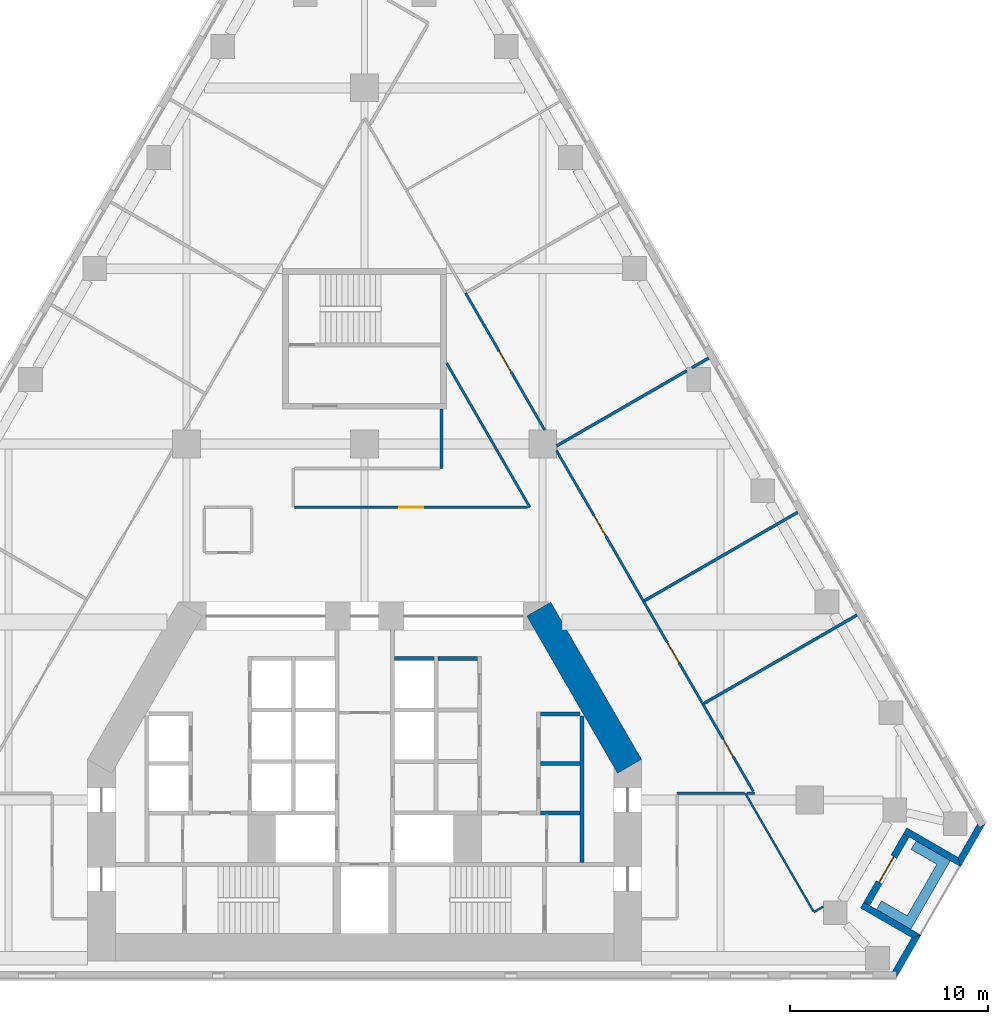
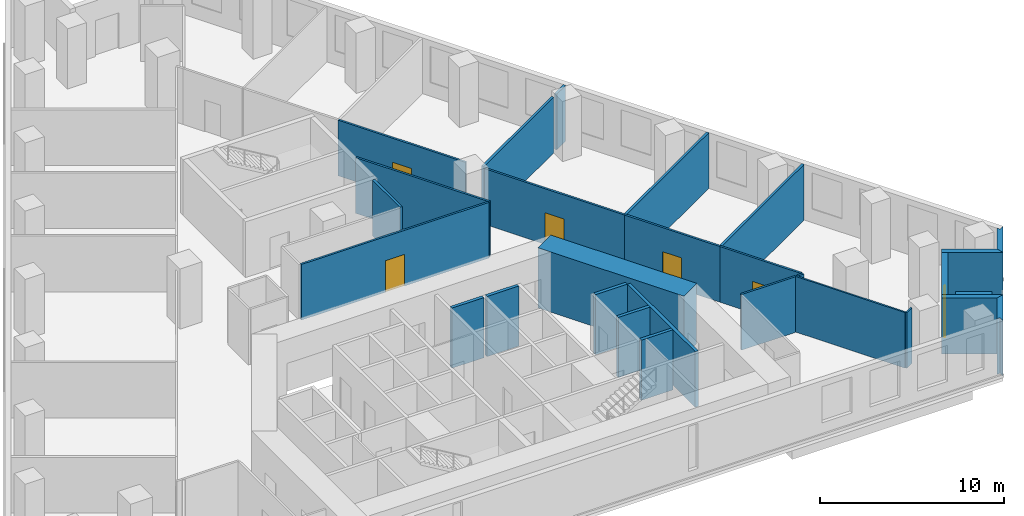
# One storey, part 6 of 9: 28 walls, 6 doors, 6 openings.
"""IFC4 building model written with IfcOpenShell, lengths in metres."""

from ifc_helpers import new_model, si_unit, direction, frame, frame_2d, origin, place, context, subcontext, project, spatial, polyline, rectangle, outline, extrude, material, layer, layer_set, type_object, element, fill, save


model = new_model("IFC4")

# Units and contexts
model_context = context("Model", 3, precision=1e-05, world=origin(), true_north=direction((0.0, 1.0)))
body_context = subcontext(model_context, "Body", "Model", "MODEL_VIEW")
ifc_project = project(units=[si_unit("LENGTHUNIT", "METRE"), si_unit("AREAUNIT", "SQUARE_METRE"), si_unit("VOLUMEUNIT", "CUBIC_METRE"), si_unit("PLANEANGLEUNIT", "RADIAN"), si_unit("MASSUNIT", "GRAM", prefix="KILO")], contexts=[model_context])

# Site, building, storey
site_placement = place(None, origin())
site = spatial("IfcSite", under=ifc_project, at=site_placement, CompositionType="ELEMENT")
building_placement = place(site_placement, origin())
building = spatial("IfcBuilding", under=site, at=building_placement, Name="Fogline Exchange Tower", CompositionType="ELEMENT")
storey_placement = place(building_placement, frame((0.0, 0.0, 68.89990234375)))
storey = spatial("IfcBuildingStorey", under=building, at=storey_placement, Name="L14", CompositionType="ELEMENT", Elevation=68.89990234375)

# Walls
ifc_material_1 = material(Name="Concrete C40", Category="concrete")
ifc_layer_1 = layer(ifc_material_1, 0.199951171875)
ifc_layer_set_1 = layer_set([ifc_layer_1], Name="CW20")
wall_type_1 = type_object("IfcWallType", Name="CW20", PredefinedType="SOLIDWALL", material=ifc_layer_set_1)
wall_1_placement = place(storey_placement, frame((11.0, 5.85009765625, 0.0), z_axis=(0.0, 0.0, 1.0), x_axis=(0.0, 1.0, 0.0)))
element("IfcWall", 1, at=wall_1_placement, inside=storey, type_object=wall_type_1, Name="Service room wall", PredefinedType="SOLIDWALL", context=body_context, shape_type="SweptSolid", body=[
    extrude(rectangle(XDim=7.39990234375, YDim=0.199951171875, at=frame_2d((3.699951171875, 0.0))), origin(), (0.0, 0.0, 1.0), 3.7001953125),
])
ifc_layer_2 = layer(ifc_material_1, 0.199951171875)
ifc_layer_set_2 = layer_set([ifc_layer_2], Name="CW20S")
wall_type_2 = type_object("IfcWallType", Name="CW20S", PredefinedType="SOLIDWALL", material=ifc_layer_set_2)
for number, where, z_axis, x_axis, name in (
    (2, (8.89990234375, 8.35009765625, -0.2998046875), (0.0, 0.0, 1.0), (1.0, 0.0, 0.0), "Lift shaft wall"),
    (3, (8.89990234375, 10.85009765625, -0.2998046875), (0.0, 0.0, 1.0), (1.0, 0.0, 0.0), "Lift shaft wall"),
    (4, (8.89990234375, 13.35009765625, -0.2998046875), (0.0, 0.0, 1.0), (1.0, 0.0, 0.0), "Lift shaft wall"),
    (5, (3.699951171875, 16.14990234375, -0.2998046875), (0.0, 0.0, 1.0), (1.0, 0.0, 0.0), "Lift shaft wall"),
    (6, (1.5, 16.14990234375, -0.2998046875), (0.0, 0.0, 1.0), (1.0, 0.0, 0.0), "Lift shaft wall"),
):
    element("IfcWall", number, at=place(storey_placement, frame(where, z_axis=z_axis, x_axis=x_axis)), inside=storey, type_object=wall_type_2, Name=name, PredefinedType="SOLIDWALL", context=body_context, shape_type="SweptSolid", body=[
        extrude(rectangle(XDim=2.0, YDim=0.199951171875, at=frame_2d((1.0, 0.0))), origin(), (0.0, 0.0, 1.0), 4.0),
    ])
ifc_material_2 = material(Name="Brick masonry", Category="masonry")
ifc_layer_3 = layer(ifc_material_2, 0.340087890625)
ifc_layer_set_3 = layer_set([ifc_layer_3], Name="FW1")
wall_type_3 = type_object("IfcWallType", Name="FW1", PredefinedType="SOLIDWALL", material=ifc_layer_set_3)
wall_2_placement = place(storey_placement, origin())
element("IfcWall", 7, at=wall_2_placement, inside=storey, type_object=wall_type_3, Name="Brick wall L14 SE-c1", PredefinedType="SOLIDWALL", context=body_context, shape_type="SweptSolid", body=[
    extrude(outline(polyline([(28.1337890625, 2.165771484375), (26.8828125, -0.001220703125), (26.88232421875, -0.0009765625), (26.88232421875, 0.33935546875), (26.685546875, 0.33935546875), (27.66796875, 2.041015625), (28.1337890625, 2.166015625), (28.1337890625, 2.165771484375)])), origin(), (0.0, 0.0, 1.0), 3.7001953125),
])
wall_3_placement = place(storey_placement, origin())
element("IfcWall", 8, at=wall_3_placement, inside=storey, type_object=wall_type_3, Name="Brick wall L14 SE-s1", PredefinedType="SOLIDWALL", context=body_context, shape_type="SweptSolid", body=[
    extrude(outline(polyline([(25.069580078125, 3.540283203125), (25.239990234375, 3.8359375), (25.53515625, 3.66552734375), (28.134033203125, 2.1650390625), (28.134033203125, 2.164794921875), (27.668212890625, 2.0400390625), (25.069580078125, 3.540283203125)])), origin(), (0.0, 0.0, 1.0), 3.7001953125),
])

# Wall, opening, door
wall_4_placement = place(storey_placement, frame((25.387451171875, 3.75, 0.0), z_axis=(0.0, 0.0, 1.0), x_axis=(0.49999894854, 0.866026010844, 0.0)))
wall_4 = element("IfcWall", 9, at=wall_4_placement, inside=storey, type_object=wall_type_3, Name="Brick wall L14 SE-bk", PredefinedType="SOLIDWALL", context=body_context, shape_type="SweptSolid", body=[
    extrude(rectangle(XDim=4.0, YDim=0.340087890625, at=frame_2d((2.0, 0.0))), origin(), (0.0, 0.0, 1.0), 3.7001953125),
])
opening_1_placement = place(wall_4_placement, frame((1.25, 0.0, 0.0)))
opening_1 = element("IfcOpeningElement", 10, at=opening_1_placement, cuts=wall_4, Name="Opening T04-E081", PredefinedType="OPENING", context=body_context, shape_type="SweptSolid", body=[
    extrude(rectangle(XDim=1.5, YDim=2.39990234375, at=frame_2d((0.75, 1.199951171875))), frame((0.0, 0.18017578125, 0.0), z_axis=(0.0, -1.0, 0.0), x_axis=(1.0, 0.0, 0.0)), (0.0, 0.0, 1.0), 0.360107421875),
])
ifc_material_3 = material(Name="Aluminium and glass", Category="aluminium")
door_type_1 = type_object("IfcDoorType", Name="ED4", OperationType="SINGLE_SWING_LEFT", PredefinedType="DOOR", material=ifc_material_3)
door_1_placement = place(opening_1_placement, frame((1.5, 0.0, 0.0), z_axis=(0.0, 0.0, 1.0), x_axis=(-1.0, 0.0, 0.0)))
door_1 = element("IfcDoor", 11, at=door_1_placement, inside=storey, type_object=door_type_1, Name="Balcony door L14 SE", OperationType="DOUBLE_DOOR_SINGLE_SWING", OverallHeight=2.39990234375, OverallWidth=1.5, PredefinedType="DOOR", context=body_context, shape_type="SweptSolid", body=[
    extrude(rectangle(XDim=1.5, YDim=2.39990234375, at=frame_2d((0.75, 1.199951171875))), frame((0.0, 0.02490234375, 0.0), z_axis=(0.0, -1.0, 0.0), x_axis=(1.0, 0.0, 0.0)), (0.0, 0.0, 1.0), 0.050048828125),
])
fill(opening_1, door_1)

# Walls
wall_5_placement = place(storey_placement, origin())
element("IfcWall", 12, at=wall_5_placement, inside=storey, type_object=wall_type_3, Name="Brick wall L14 SE-s2", PredefinedType="SOLIDWALL", context=body_context, shape_type="SweptSolid", body=[
    extrude(outline(polyline([(30.133544921875, 5.628173828125), (27.534423828125, 7.128662109375), (27.239501953125, 7.298828125), (27.41015625, 7.594482421875), (30.0087890625, 6.093994140625), (30.1337890625, 5.62841796875), (30.133544921875, 5.628173828125)])), origin(), (0.0, 0.0, 1.0), 3.7001953125),
])
wall_6_placement = place(storey_placement, origin())
element("IfcWall", 13, at=wall_6_placement, inside=storey, type_object=wall_type_3, Name="Brick wall L14 SE-c2", PredefinedType="SOLIDWALL", context=body_context, shape_type="SweptSolid", body=[
    extrude(outline(polyline([(30.990234375, 7.79541015625), (31.088623046875, 7.625), (31.383544921875, 7.79541015625), (31.3837890625, 7.794921875), (30.1328125, 5.6279296875), (30.132568359375, 5.6279296875), (30.0078125, 6.09375), (30.990234375, 7.79541015625)])), origin(), (0.0, 0.0, 1.0), 3.7001953125),
])
ifc_material_4 = material(Name="Concrete C30", Category="concrete")
ifc_layer_4 = layer(ifc_material_4, 0.199951171875)
ifc_layer_set_4 = layer_set([ifc_layer_4], Name="PL1")
wall_type_4 = type_object("IfcWallType", Name="PL1", PredefinedType="USERDEFINED", material=ifc_layer_set_4)
wall_7_placement = place(storey_placement, origin())
element("IfcWall", 14, at=wall_7_placement, inside=storey, type_object=wall_type_4, Name="PLANTER balcony L14 SE", ObjectType="PLANTER", PredefinedType="USERDEFINED", context=body_context, shape_type="SweptSolid", body=[
    extrude(outline(polyline([(25.881103515625, 3.465087890625), (27.18017578125, 2.715087890625), (27.18017578125, 2.715087890625), (27.61328125, 2.465087890625), (29.36328125, 5.49609375), (29.61328125, 5.92919921875), (27.881103515625, 6.92919921875), (27.631103515625, 6.49609375), (28.93017578125, 5.74609375), (27.43017578125, 3.148193359375), (26.131103515625, 3.898193359375), (25.881103515625, 3.465087890625)])), origin(), (0.0, 0.0, 1.0), 1.10009765625),
])
ifc_material_5 = material(Name="Plasterboard partition, 2 layers each side on steel studs", Category="steel")
ifc_layer_5 = layer(ifc_material_5, 0.10009765625)
ifc_layer_set_5 = layer_set([ifc_layer_5], Name="PW1")
wall_type_5 = type_object("IfcWallType", Name="PW1", PredefinedType="PARTITIONING", material=ifc_layer_set_5)
wall_8_placement = place(storey_placement, frame((19.24365234375, 9.340087890625, 0.0), z_axis=(0.0, 0.0, 1.0), x_axis=(0.500004737999, -0.866022668282, 0.0)))
element("IfcWall", 15, at=wall_8_placement, inside=storey, type_object=wall_type_5, Name="wall-L14-W047", PredefinedType="PARTITIONING", context=body_context, shape_type="SweptSolid", body=[
    extrude(rectangle(XDim=6.8876953125, YDim=0.10009765625, at=frame_2d((3.44384765625, 0.0))), origin(), (0.0, 0.0, 1.0), 3.7001953125),
])
wall_9_placement = place(storey_placement, frame((22.71240234375, 3.331787109375, 0.0), z_axis=(0.0, 0.0, 1.0), x_axis=(0.865894509735, 0.500226646643, 0.0)))
element("IfcWall", 16, at=wall_9_placement, inside=storey, type_object=wall_type_5, Name="wall-L14-W048", PredefinedType="PARTITIONING", context=body_context, shape_type="SweptSolid", body=[
    extrude(rectangle(XDim=0.558837890625, YDim=0.10009765625, at=frame_2d((0.279296875, 0.0))), origin(), (0.0, 0.0, 1.0), 3.7001953125),
])

# Wall, opening, door
ifc_material_6 = material(Name="Plasterboard corridor partition with mineral wool, 2 layers each side")
ifc_layer_6 = layer(ifc_material_6, 0.125)
ifc_layer_set_6 = layer_set([ifc_layer_6], Name="PW2")
wall_type_6 = type_object("IfcWallType", Name="PW2", PredefinedType="PARTITIONING", material=ifc_layer_set_6)
wall_10_placement = place(storey_placement, frame((-3.53759765625, 23.800048828125, 0.0), z_axis=(0.0, 0.0, 1.0), x_axis=(1.0, 0.0, 0.0)))
wall_10 = element("IfcWall", 17, at=wall_10_placement, inside=storey, type_object=wall_type_6, Name="wall-L14-W003", PredefinedType="PARTITIONING", context=body_context, shape_type="SweptSolid", body=[
    extrude(rectangle(XDim=11.78369140625, YDim=0.125, at=frame_2d((5.891845703125, 0.0))), origin(), (0.0, 0.0, 1.0), 3.7001953125),
])
opening_2_placement = place(wall_10_placement, frame((5.291748046875, 0.0, 0.0)))
opening_2 = element("IfcOpeningElement", 18, at=opening_2_placement, cuts=wall_10, Name="Opening T04-D002", PredefinedType="OPENING", context=body_context, shape_type="SweptSolid", body=[
    extrude(rectangle(XDim=1.199951171875, YDim=2.10009765625, at=frame_2d((0.60009765625, 1.050048828125))), frame((0.0, 0.072509765625, 0.0), z_axis=(0.0, -1.0, 0.0), x_axis=(1.0, 0.0, 0.0)), (0.0, 0.0, 1.0), 0.14501953125),
])
ifc_material_7 = material(Name="Fire-rated glazed door leaf with steel frame", Category="steel")
door_type_2 = type_object("IfcDoorType", Name="D5", OperationType="SINGLE_SWING_LEFT", PredefinedType="DOOR", material=ifc_material_7)
door_2_placement = place(opening_2_placement, origin())
door_2 = element("IfcDoor", 19, at=door_2_placement, inside=storey, type_object=door_type_2, Name="door-L14-D002", OperationType="SINGLE_SWING_RIGHT", OverallHeight=2.10009765625, OverallWidth=1.199951171875, PredefinedType="DOOR", context=body_context, shape_type="SweptSolid", body=[
    extrude(rectangle(XDim=1.199951171875, YDim=2.10009765625, at=frame_2d((0.60009765625, 1.050048828125))), frame((0.0, 0.02490234375, 0.0), z_axis=(0.0, -1.0, 0.0), x_axis=(1.0, 0.0, 0.0)), (0.0, 0.0, 1.0), 0.050048828125),
])
fill(opening_2, door_2)

wall_11_placement = place(storey_placement, frame((9.699951171875, 26.669921875, 0.0), z_axis=(0.0, 0.0, 1.0), x_axis=(0.50001609147, -0.866016113171, 0.0)))
wall_11 = element("IfcWall", 20, at=wall_11_placement, inside=storey, type_object=wall_type_6, Name="wall-L14-W009", PredefinedType="PARTITIONING", context=body_context, shape_type="SweptSolid", body=[
    extrude(rectangle(XDim=8.804443359375, YDim=0.125, at=frame_2d((4.40234375, 0.0))), origin(), (0.0, 0.0, 1.0), 3.7001953125),
])
opening_3_placement = place(wall_11_placement, frame((3.80224609375, 0.0, 0.0)))
opening_3 = element("IfcOpeningElement", 21, at=opening_3_placement, cuts=wall_11, Name="Opening T04-D005", PredefinedType="OPENING", context=body_context, shape_type="SweptSolid", body=[
    extrude(rectangle(XDim=1.199951171875, YDim=2.10009765625, at=frame_2d((0.60009765625, 1.050048828125))), frame((0.0, 0.072509765625, 0.0), z_axis=(0.0, -1.0, 0.0), x_axis=(1.0, 0.0, 0.0)), (0.0, 0.0, 1.0), 0.14501953125),
])
door_3_placement = place(opening_3_placement, origin())
door_3 = element("IfcDoor", 22, at=door_3_placement, inside=storey, type_object=door_type_2, Name="door-L14-D005", OperationType="SINGLE_SWING_RIGHT", OverallHeight=2.10009765625, OverallWidth=1.199951171875, PredefinedType="DOOR", context=body_context, shape_type="SweptSolid", body=[
    extrude(rectangle(XDim=1.199951171875, YDim=2.10009765625, at=frame_2d((0.60009765625, 1.050048828125))), frame((0.0, 0.02490234375, 0.0), z_axis=(0.0, -1.0, 0.0), x_axis=(1.0, 0.0, 0.0)), (0.0, 0.0, 1.0), 0.050048828125),
])
fill(opening_3, door_3)

wall_12_placement = place(storey_placement, frame((5.102294921875, 34.633544921875, 0.0), z_axis=(0.0, 0.0, 1.0), x_axis=(0.499982900776, -0.866035275801, 0.0)))
wall_12 = element("IfcWall", 23, at=wall_12_placement, inside=storey, type_object=wall_type_6, Name="wall-L14-W010", PredefinedType="PARTITIONING", context=body_context, shape_type="SweptSolid", body=[
    extrude(rectangle(XDim=8.006103515625, YDim=0.125, at=frame_2d((4.0029296875, 0.0))), origin(), (0.0, 0.0, 1.0), 3.7001953125),
])
opening_4_placement = place(wall_12_placement, frame((3.403076171875, 0.0, 0.0)))
opening_4 = element("IfcOpeningElement", 24, at=opening_4_placement, cuts=wall_12, Name="Opening T04-D006", PredefinedType="OPENING", context=body_context, shape_type="SweptSolid", body=[
    extrude(rectangle(XDim=1.199951171875, YDim=2.10009765625, at=frame_2d((0.60009765625, 1.050048828125))), frame((0.0, 0.072509765625, 0.0), z_axis=(0.0, -1.0, 0.0), x_axis=(1.0, 0.0, 0.0)), (0.0, 0.0, 1.0), 0.14501953125),
])
door_4_placement = place(opening_4_placement, origin())
door_4 = element("IfcDoor", 25, at=door_4_placement, inside=storey, type_object=door_type_2, Name="door-L14-D006", OperationType="SINGLE_SWING_LEFT", OverallHeight=2.10009765625, OverallWidth=1.199951171875, PredefinedType="DOOR", context=body_context, shape_type="SweptSolid", body=[
    extrude(rectangle(XDim=1.199951171875, YDim=2.10009765625, at=frame_2d((0.60009765625, 1.050048828125))), frame((0.0, 0.02490234375, 0.0), z_axis=(0.0, -1.0, 0.0), x_axis=(1.0, 0.0, 0.0)), (0.0, 0.0, 1.0), 0.050048828125),
])
fill(opening_4, door_4)

# Walls
wall_13_placement = place(storey_placement, frame((8.354736328125, 23.800048828125, 0.0), z_axis=(0.0, 0.0, 1.0), x_axis=(-0.500001396097, 0.866024597746, 0.0)))
element("IfcWall", 26, at=wall_13_placement, inside=storey, type_object=wall_type_6, Name="wall-L14-W011", PredefinedType="PARTITIONING", context=body_context, shape_type="SweptSolid", body=[
    extrude(rectangle(XDim=8.40966796875, YDim=0.125, at=frame_2d((4.204833984375, 0.0))), origin(), (0.0, 0.0, 1.0), 3.7001953125),
])
wall_14_placement = place(storey_placement, frame((19.19970703125, 9.340087890625, 0.0), z_axis=(0.0, 0.0, 1.0), x_axis=(-1.0, 0.0, 0.0)))
element("IfcWall", 27, at=wall_14_placement, inside=storey, type_object=wall_type_6, Name="wall-L14-W025", PredefinedType="PARTITIONING", context=body_context, shape_type="SweptSolid", body=[
    extrude(rectangle(XDim=3.399658203125, YDim=0.125, at=frame_2d((1.69970703125, 0.0))), origin(), (0.0, 0.0, 1.0), 3.7001953125),
])

# Wall, opening, door
wall_15_placement = place(storey_placement, frame((17.102294921875, 13.84912109375, 0.0), z_axis=(0.0, 0.0, 1.0), x_axis=(0.499971184285, -0.866042039906, 0.0)))
wall_15 = element("IfcWall", 28, at=wall_15_placement, inside=storey, type_object=wall_type_6, Name="wall-L14-W026", PredefinedType="PARTITIONING", context=body_context, shape_type="SweptSolid", body=[
    extrude(rectangle(XDim=5.097900390625, YDim=0.125, at=frame_2d((2.548828125, 0.0))), origin(), (0.0, 0.0, 1.0), 3.7001953125),
])
opening_5_placement = place(wall_15_placement, frame((2.048828125, 0.0, 0.0)))
opening_5 = element("IfcOpeningElement", 29, at=opening_5_placement, cuts=wall_15, Name="Opening T04-D015", PredefinedType="OPENING", context=body_context, shape_type="SweptSolid", body=[
    extrude(rectangle(XDim=1.0, YDim=2.10009765625, at=frame_2d((0.5, 1.050048828125))), frame((0.0, 0.072509765625, 0.0), z_axis=(0.0, -1.0, 0.0), x_axis=(1.0, 0.0, 0.0)), (0.0, 0.0, 1.0), 0.14501953125),
])
ifc_material_8 = material(Name="Fire-rated timber door leaf with steel frame", Category="steel")
door_type_3 = type_object("IfcDoorType", Name="D3", OperationType="SINGLE_SWING_LEFT", PredefinedType="DOOR", material=ifc_material_8)
door_5_placement = place(opening_5_placement, origin())
door_5 = element("IfcDoor", 30, at=door_5_placement, inside=storey, type_object=door_type_3, Name="door-L14-D015", OperationType="SINGLE_SWING_RIGHT", OverallHeight=2.10009765625, OverallWidth=1.0, PredefinedType="DOOR", context=body_context, shape_type="SweptSolid", body=[
    extrude(rectangle(XDim=1.0, YDim=2.10009765625, at=frame_2d((0.5, 1.050048828125))), frame((0.0, 0.02490234375, 0.0), z_axis=(0.0, -1.0, 0.0), x_axis=(1.0, 0.0, 0.0)), (0.0, 0.0, 1.0), 0.050048828125),
])
fill(opening_5, door_5)

# Wall
wall_16_placement = place(storey_placement, frame((19.70556640625, 9.340087890625, 0.0), z_axis=(0.0, 0.0, 1.0), x_axis=(-1.0, 0.0, 0.0)))
element("IfcWall", 31, at=wall_16_placement, inside=storey, type_object=wall_type_6, Name="wall-L14-W027", PredefinedType="PARTITIONING", context=body_context, shape_type="SweptSolid", body=[
    extrude(rectangle(XDim=0.36767578125, YDim=0.125, at=frame_2d((0.183837890625, 0.0))), origin(), (0.0, 0.0, 1.0), 3.7001953125),
])

# Wall, opening, door
wall_17_placement = place(storey_placement, frame((14.102294921875, 19.045166015625, 0.0), z_axis=(0.0, 0.0, 1.0), x_axis=(0.500007758305, -0.866020924479, 0.0)))
wall_17 = element("IfcWall", 32, at=wall_17_placement, inside=storey, type_object=wall_type_6, Name="wall-L14-W028", PredefinedType="PARTITIONING", context=body_context, shape_type="SweptSolid", body=[
    extrude(rectangle(XDim=6.0, YDim=0.125, at=frame_2d((3.0, 0.0))), origin(), (0.0, 0.0, 1.0), 3.7001953125),
])
opening_6_placement = place(wall_17_placement, frame((2.39990234375, 0.0, 0.0)))
opening_6 = element("IfcOpeningElement", 33, at=opening_6_placement, cuts=wall_17, Name="Opening T04-D016", PredefinedType="OPENING", context=body_context, shape_type="SweptSolid", body=[
    extrude(rectangle(XDim=1.199951171875, YDim=2.10009765625, at=frame_2d((0.60009765625, 1.050048828125))), frame((0.0, 0.072509765625, 0.0), z_axis=(0.0, -1.0, 0.0), x_axis=(1.0, 0.0, 0.0)), (0.0, 0.0, 1.0), 0.14501953125),
])
door_6_placement = place(opening_6_placement, origin())
door_6 = element("IfcDoor", 34, at=door_6_placement, inside=storey, type_object=door_type_2, Name="door-L14-D016", OperationType="SINGLE_SWING_RIGHT", OverallHeight=2.10009765625, OverallWidth=1.199951171875, PredefinedType="DOOR", context=body_context, shape_type="SweptSolid", body=[
    extrude(rectangle(XDim=1.199951171875, YDim=2.10009765625, at=frame_2d((0.60009765625, 1.050048828125))), frame((0.0, 0.02490234375, 0.0), z_axis=(0.0, -1.0, 0.0), x_axis=(1.0, 0.0, 0.0)), (0.0, 0.0, 1.0), 0.050048828125),
])
fill(opening_6, door_6)

# Walls
ifc_material_9 = material(Name="Plasterboard demising partition with mineral wool and acoustic board")
ifc_layer_7 = layer(ifc_material_9, 0.14990234375)
ifc_layer_set_7 = layer_set([ifc_layer_7], Name="PW3")
wall_type_7 = type_object("IfcWallType", Name="PW3", PredefinedType="PARTITIONING", material=ifc_layer_set_7)
wall_18_placement = place(storey_placement, frame((9.699951171875, 26.89599609375, 0.0), z_axis=(0.0, 0.0, 1.0), x_axis=(0.866034903993, 0.499983544795, 0.0)))
element("IfcWall", 35, at=wall_18_placement, inside=storey, type_object=wall_type_7, Name="wall-L14-W033", PredefinedType="PARTITIONING", context=body_context, shape_type="SweptSolid", body=[
    extrude(rectangle(XDim=7.608642578125, YDim=0.14990234375, at=frame_2d((3.80419921875, 0.0))), origin(), (0.0, 0.0, 1.0), 3.7001953125),
])
wall_19_placement = place(storey_placement, frame((16.5537109375, 30.852783203125, 0.0), z_axis=(0.0, 0.0, 1.0), x_axis=(0.866026830048, 0.499997529631, 0.0)))
element("IfcWall", 36, at=wall_19_placement, inside=storey, type_object=wall_type_7, Name="wall-L14-W034", PredefinedType="PARTITIONING", context=body_context, shape_type="SweptSolid", body=[
    extrude(rectangle(XDim=0.97314453125, YDim=0.14990234375, at=frame_2d((0.486572265625, 0.0))), origin(), (0.0, 0.0, 1.0), 3.7001953125),
])
for number, where, z_axis, x_axis, name in (
    (37, (21.896484375, 23.545166015625, 0.0), (0.0, 0.0, 1.0), (-0.866029105215, -0.49999358888, 0.0), "wall-L14-W035"),
    (38, (17.15625, 13.88037109375, 0.0), (0.0, 0.0, 1.0), (0.866029105215, 0.49999358888, 0.0), "wall-L14-W049"),
):
    element("IfcWall", number, at=place(storey_placement, frame(where, z_axis=z_axis, x_axis=x_axis)), inside=storey, type_object=wall_type_7, Name=name, PredefinedType="PARTITIONING", context=body_context, shape_type="SweptSolid", body=[
        extrude(rectangle(XDim=8.9375, YDim=0.14990234375, at=frame_2d((4.46875, 0.0))), origin(), (0.0, 0.0, 1.0), 3.7001953125),
    ])
ifc_material_10 = material(Name="Plasterboard stair lobby partition, 3 layers each side on steel studs", Category="steel")
ifc_layer_8 = layer(ifc_material_10, 0.14990234375)
ifc_layer_set_8 = layer_set([ifc_layer_8], Name="PW4")
wall_type_8 = type_object("IfcWallType", Name="PW4", PredefinedType="PARTITIONING", material=ifc_layer_set_8)
wall_20_placement = place(storey_placement, frame((3.89990234375, 28.757080078125, 0.0), z_axis=(0.0, 0.0, 1.0), x_axis=(0.0, -1.0, 0.0)))
element("IfcWall", 39, at=wall_20_placement, inside=storey, type_object=wall_type_8, Name="wall-L14-W029", PredefinedType="PARTITIONING", context=body_context, shape_type="SweptSolid", body=[
    extrude(rectangle(XDim=3.0, YDim=0.14990234375, at=frame_2d((1.5, 0.0))), origin(), (0.0, 0.0, 1.0), 3.7001953125),
])
ifc_material_11 = material(Name="Concrete C60", Category="concrete")
ifc_layer_9 = layer(ifc_material_11, 1.39990234375)
ifc_layer_set_9 = layer_set([ifc_layer_9], Name="SW01")
wall_type_9 = type_object("IfcWallType", Name="SW01", PredefinedType="SHEAR", material=ifc_layer_set_9)
wall_21_placement = place(storey_placement, frame((13.393798828125, 10.70263671875, 0.0), z_axis=(0.0, 0.0, 1.0), x_axis=(-0.50000187635, 0.866024320471, 0.0)))
element("IfcWall", 40, at=wall_21_placement, inside=storey, type_object=wall_type_9, Name="L14-W903", PredefinedType="SHEAR", context=body_context, shape_type="SweptSolid", body=[
    extrude(rectangle(XDim=9.1767578125, YDim=1.39990234375, at=frame_2d((4.58837890625, 0.0))), origin(), (0.0, 0.0, 1.0), 4.0),
])

save(model, "model.ifc")
